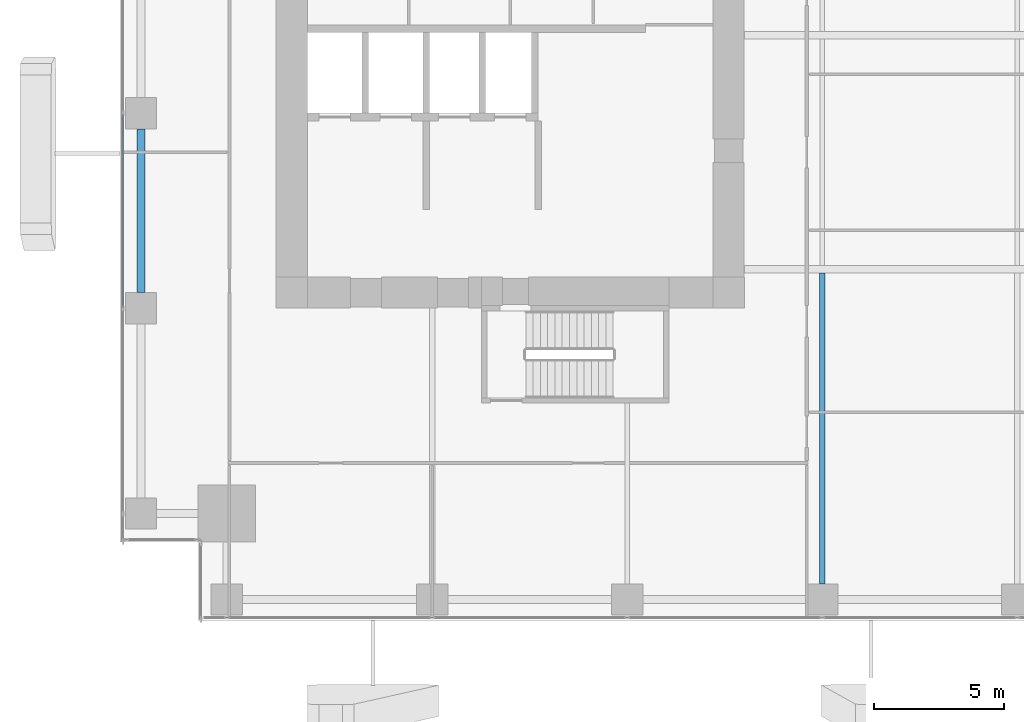
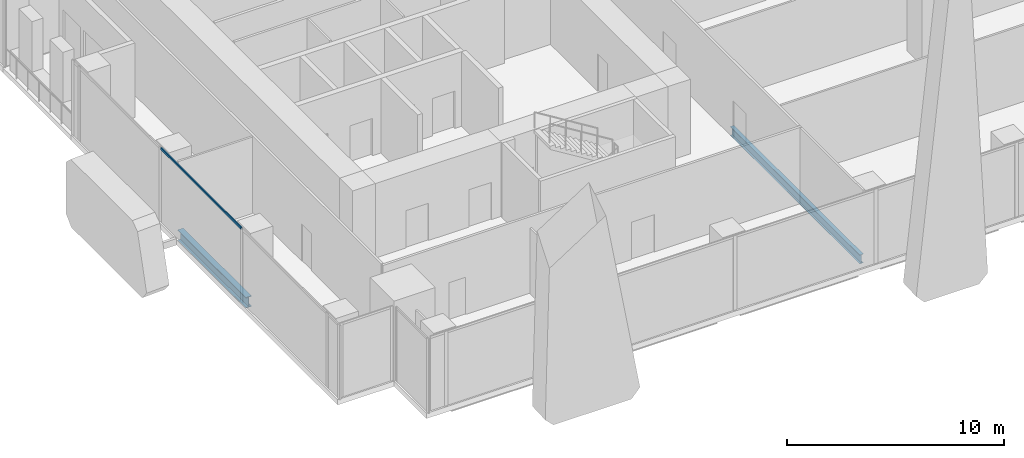
# One storey, part 4 of 35: 2 beams, 1 member, 1 element without a shape of its own.
"""IFC4 building model written with IfcOpenShell, lengths in metres."""

from ifc_helpers import new_model, si_unit, direction, frame, origin, origin_2d, place, context, subcontext, project, spatial, hollow_rectangle, i_section, extrude, source, transform, mapped, material, material_profile, profile_set, type_object, element, aggregate, save


model = new_model("IFC4")

# Units and contexts
model_context = context("Model", 3, precision=1e-05, world=origin(), true_north=direction((0.0, 1.0)))
body_context = subcontext(model_context, "Body", "Model", "MODEL_VIEW")
ifc_project = project(units=[si_unit("LENGTHUNIT", "METRE"), si_unit("AREAUNIT", "SQUARE_METRE"), si_unit("VOLUMEUNIT", "CUBIC_METRE"), si_unit("PLANEANGLEUNIT", "RADIAN"), si_unit("MASSUNIT", "GRAM", prefix="KILO")], contexts=[model_context])

# Site, building, storey
site_placement = place(None, origin())
site = spatial("IfcSite", under=ifc_project, at=site_placement, CompositionType="ELEMENT")
building_placement = place(site_placement, origin())
building = spatial("IfcBuilding", under=site, at=building_placement, Name="Khomas Fold Tower", CompositionType="ELEMENT")
storey_placement = place(building_placement, frame((0.0, 0.0, 69.0)))
storey = spatial("IfcBuildingStorey", under=building, at=storey_placement, Name="L14", CompositionType="ELEMENT", Elevation=69.0)

# Beams
ifc_material_1 = material(Name="Steel S355", Category="steel")
ifc_material_profile_1 = material_profile(ifc_material_1, i_section(OverallWidth=0.300048828125, OverallDepth=0.60009765625, WebThickness=0.015380859375, FlangeThickness=0.030029296875, at=origin_2d()), Name="HE 600 B")
ifc_profile_set_1 = profile_set([ifc_material_profile_1], Name="Steel S355")
beam_type_1 = type_object("IfcBeamType", Name="HE 600 B spandrel SB1", PredefinedType="SPANDREL", material=ifc_profile_set_1)
shared_shape_1 = source(origin(), body_context, "Body", "SweptSolid", [
    extrude(i_section(OverallWidth=0.300048828125, OverallDepth=0.60009765625, WebThickness=0.015380859375, FlangeThickness=0.030029296875, at=origin_2d()), origin(), (0.0, 0.0, 1.0), 6.2998046875),
])
beam_1_placement = place(storey_placement, frame((0.800048828125, 12.60009765625, -0.60009765625), z_axis=(0.0, 1.0, 0.0), x_axis=(-1.0, 0.0, 0.0)))
element("IfcBeam", 1, at=beam_1_placement, inside=storey, type_object=beam_type_1, Name="SB1", PredefinedType="SPANDREL", context=body_context, shape_type="MappedRepresentation", body=[
    mapped(shared_shape_1, transform((0.0, 0.0, 0.0))),
])
ifc_material_2 = material(Name="Steel S355", Category="steel")
ifc_material_profile_2 = material_profile(ifc_material_2, i_section(OverallWidth=0.199951171875, OverallDepth=0.5, WebThickness=0.01025390625, FlangeThickness=0.01611328125, at=origin_2d()), Name="IPE 500")
ifc_profile_set_2 = profile_set([ifc_material_profile_2], Name="Steel S355")
beam_type_2 = type_object("IfcBeamType", Name="IPE 500 beam JB5", PredefinedType="BEAM", material=ifc_profile_set_2)
shared_shape_2 = source(origin(), body_context, "Body", "SweptSolid", [
    extrude(i_section(OverallWidth=0.199951171875, OverallDepth=0.5, WebThickness=0.01025390625, FlangeThickness=0.01611328125, at=origin_2d()), origin(), (0.0, 0.0, 1.0), 11.9501953125),
])
beam_2_placement = place(storey_placement, frame((27.0, 1.39990234375, -0.550048828125), z_axis=(0.0, 1.0, 0.0), x_axis=(-1.0, 0.0, 0.0)))
element("IfcBeam", 2, at=beam_2_placement, inside=storey, type_object=beam_type_2, Name="JB5", PredefinedType="BEAM", context=body_context, shape_type="MappedRepresentation", body=[
    mapped(shared_shape_2, transform((0.0, 0.0, 0.0))),
])

# Curtain wall, member
ifc_material_3 = material(Name="Aluminium framed double glazing", Category="aluminium")
curtain_wall_type = type_object("IfcCurtainWallType", Name="SK-Unitised clear-glass wall, growing floors CW1", PredefinedType="NOTDEFINED", material=ifc_material_3)
curtain_wall_placement = place(storey_placement, origin())
curtain_wall = element("IfcCurtainWall", 3, at=curtain_wall_placement, inside=storey, type_object=curtain_wall_type, Name="CW1 run L14 09-1", PredefinedType="NOTDEFINED")
ifc_material_4 = material(Name="Aluminium", Category="aluminium")
ifc_material_profile_3 = material_profile(ifc_material_4, hollow_rectangle(XDim=0.06005859375, YDim=0.1201171875, WallThickness=0.00390625, at=origin_2d()), Name="SK-Unitised clear-glass wall, growing floors transom CW1-T")
ifc_profile_set_3 = profile_set([ifc_material_profile_3], Name="Aluminium")
member_type = type_object("IfcMemberType", Name="SK-Unitised clear-glass wall, growing floors transom CW1-T", PredefinedType="USERDEFINED", material=ifc_profile_set_3)
shared_shape_3 = source(origin(), body_context, "Body", "SweptSolid", [
    extrude(hollow_rectangle(XDim=0.06005859375, YDim=0.1201171875, WallThickness=0.00390625, at=origin_2d()), origin(), (0.0, 0.0, 1.0), 7.43994140625),
])
member_placement = place(storey_placement, frame((0.10009765625, 19.469970703125, 4.139892578125), z_axis=(0.0, -1.0, 0.0), x_axis=(1.0, 0.0, 0.0)))
member = element("IfcMember", 4, at=member_placement, type_object=member_type, Name="CW1 transom 3", ObjectType="TRANSOM", PredefinedType="USERDEFINED", context=body_context, shape_type="MappedRepresentation", body=[
    mapped(shared_shape_3, transform((0.0, 0.0, 0.0))),
])
aggregate(curtain_wall, [member])

save(model, "model.ifc")
